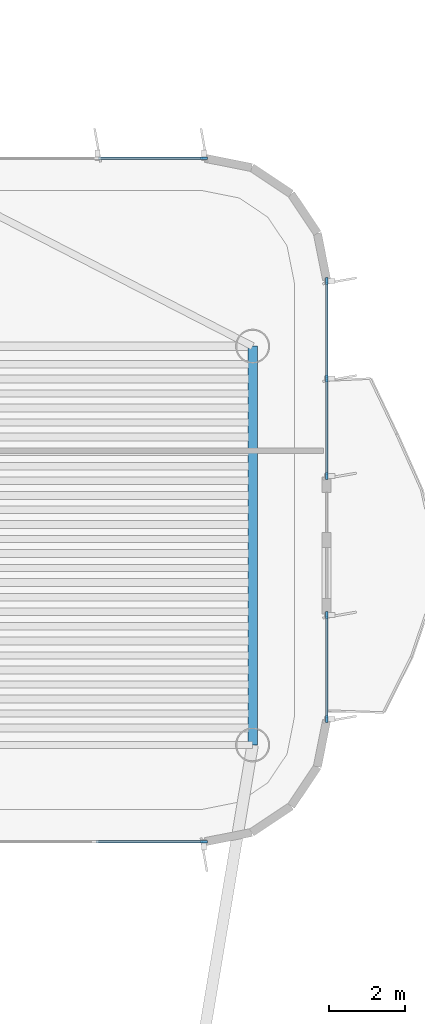
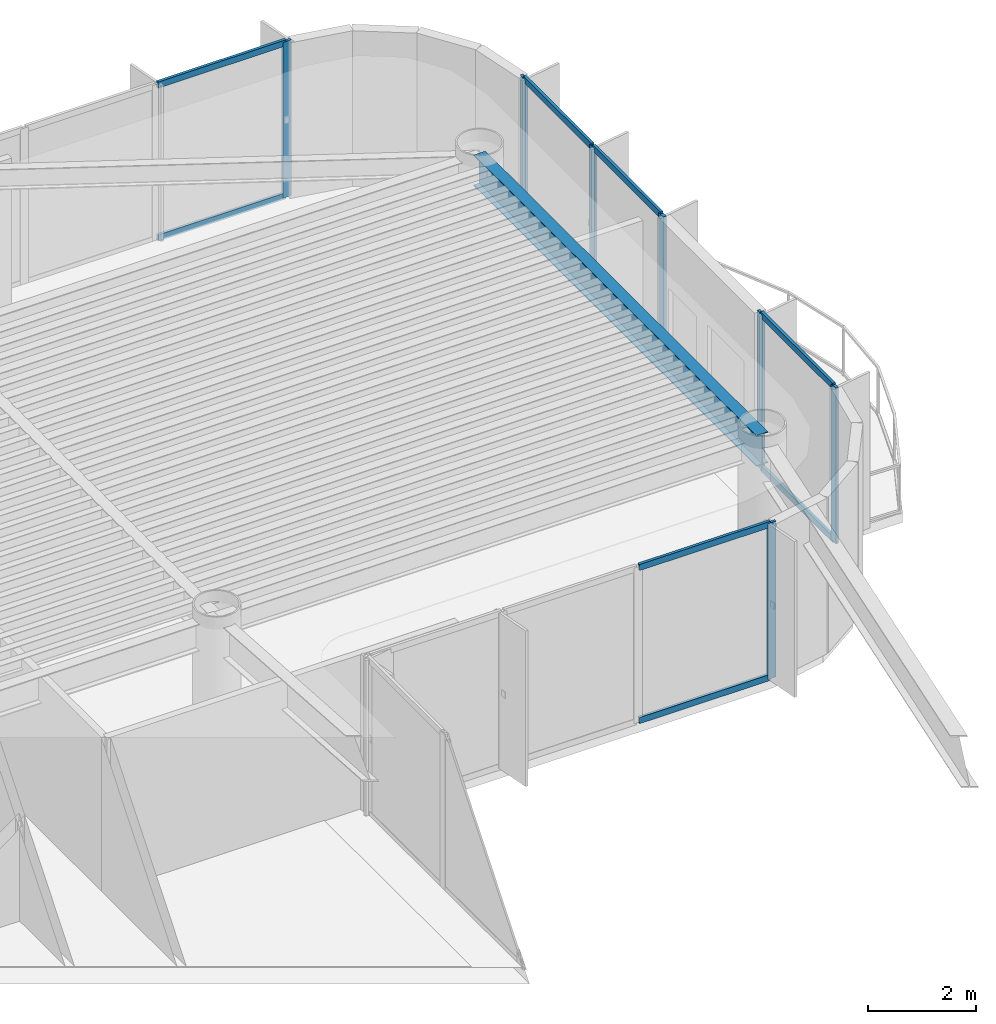
# One storey, part 8 of 15: 17 members, 1 beam, 4 elements without a shape of their own.
"""IFC4 building model written with IfcOpenShell, lengths in metres."""

from ifc_helpers import new_model, si_unit, direction, frame, origin, origin_2d, place, context, subcontext, project, spatial, rectangle, i_section, extrude, source, transform, mapped, material, layer, layer_set, material_profile, profile_set, type_object, element, aggregate, save


model = new_model("IFC4")

# Units and contexts
model_context = context("Model", 3, precision=1e-05, world=origin(), true_north=direction((0.0, 1.0)))
body_context = subcontext(model_context, "Body", "Model", "MODEL_VIEW")
ifc_project = project(units=[si_unit("LENGTHUNIT", "METRE"), si_unit("AREAUNIT", "SQUARE_METRE"), si_unit("VOLUMEUNIT", "CUBIC_METRE"), si_unit("PLANEANGLEUNIT", "RADIAN"), si_unit("MASSUNIT", "GRAM", prefix="KILO")], contexts=[model_context])

# Site, building, storey
site_placement = place(None, origin())
site = spatial("IfcSite", under=ifc_project, at=site_placement, CompositionType="ELEMENT")
building_placement = place(site_placement, origin())
building = spatial("IfcBuilding", under=site, at=building_placement, Name="Brelvock Crest Care Tower", CompositionType="ELEMENT")
storey_placement = place(building_placement, frame((0.0, 0.0, 279.719970703125)))
storey = spatial("IfcBuildingStorey", under=building, at=storey_placement, Name="L71", CompositionType="ELEMENT", Elevation=279.719970703125)

# Beam
ifc_material_1 = material(Name="Steel Grade 350", Category="steel")
ifc_material_profile_1 = material_profile(ifc_material_1, i_section(OverallWidth=0.25, OverallDepth=0.699951171875, WebThickness=0.011962890625, FlangeThickness=0.02001953125, at=origin_2d()), Name="700WB150")
ifc_profile_set_1 = profile_set([ifc_material_profile_1], Name="Steel Grade 350")
beam_type = type_object("IfcBeamType", Name="BM-G4", PredefinedType="BEAM", material=ifc_profile_set_1)
shared_shape_1 = source(origin(), body_context, "Body", "SweptSolid", [
    extrude(i_section(OverallWidth=0.25, OverallDepth=0.699951171875, WebThickness=0.011962890625, FlangeThickness=0.02001953125, at=origin_2d()), origin(), (0.0, 0.0, 1.0), 10.5),
])
beam_placement = place(storey_placement, frame((52.35009765625, 43.949951171875, 3.179931640625), z_axis=(0.0, 1.0, 0.0), x_axis=(-1.0, 0.0, 0.0)))
element("IfcBeam", 1, at=beam_placement, inside=storey, type_object=beam_type, Name="BM-TWR-L71-02", PredefinedType="BEAM", context=body_context, shape_type="MappedRepresentation", body=[
    mapped(shared_shape_1, transform((0.0, 0.0, 0.0), x_axis=(1.0, 0.0, 0.0), y_axis=(0.0, 1.0, 0.0), z_axis=(0.0, 0.0, 1.0), scale=1.0)),
])

# Curtain wall, member
ifc_material_2 = material(Name="Dark Glass Double Glazed Low-E", Category="glass")
ifc_layer = layer(ifc_material_2, 0.239990234375, Name="CWS-5")
ifc_layer_set = layer_set([ifc_layer], Name="Dark Glass Double Glazed Low-E")
curtain_wall_type = type_object("IfcCurtainWallType", Name="CWS-5", PredefinedType="NOTDEFINED", material=ifc_layer_set)
curtain_wall_1_placement = place(storey_placement, origin())
curtain_wall_1 = element("IfcCurtainWall", 2, at=curtain_wall_1_placement, inside=storey, type_object=curtain_wall_type, Name="L71 Curtain Wall E34", PredefinedType="NOTDEFINED")
ifc_material_3 = material(Name="Aluminium 6063-T6", Category="aluminium")
ifc_material_profile_2 = material_profile(ifc_material_3, rectangle(XDim=0.06005859375, YDim=0.179931640625, at=origin_2d()), Name="ALU60x180")
ifc_profile_set_2 = profile_set([ifc_material_profile_2], Name="Aluminium 6063-T6")
member_type_1 = type_object("IfcMemberType", Name="CWM-2", PredefinedType="MULLION", material=ifc_profile_set_2)
shared_shape_2 = source(origin(), body_context, "Body", "SweptSolid", [
    extrude(rectangle(XDim=0.06005859375, YDim=0.179931640625, at=origin_2d()), origin(), (0.0, 0.0, 1.0), 3.530029296875),
])
member_1_placement = place(storey_placement, frame((51.070068359375, 59.39990234375, 0.0), z_axis=(0.0, 0.0, 1.0), x_axis=(0.0, 1.0, 0.0)))
member_1 = element("IfcMember", 3, at=member_1_placement, type_object=member_type_1, Name="CW-5 mullion 4", PredefinedType="MULLION", context=body_context, shape_type="MappedRepresentation", body=[
    mapped(shared_shape_2, transform((0.0, 0.0, 0.0), x_axis=(1.0, 0.0, 0.0), y_axis=(0.0, 1.0, 0.0), z_axis=(0.0, 0.0, 1.0), scale=1.0)),
])

# Curtain wall, members
curtain_wall_2_placement = place(storey_placement, origin())
curtain_wall_2 = element("IfcCurtainWall", 4, at=curtain_wall_2_placement, inside=storey, type_object=curtain_wall_type, Name="L71 Curtain Wall E39A", PredefinedType="NOTDEFINED")
member_2_placement = place(storey_placement, frame((54.300048828125, 56.169921875, 0.0), z_axis=(0.0, 0.0, 1.0), x_axis=(1.0, 0.0, 0.0)))
member_2 = element("IfcMember", 5, at=member_2_placement, type_object=member_type_1, Name="CW-5 mullion 1", PredefinedType="MULLION", context=body_context, shape_type="MappedRepresentation", body=[
    mapped(shared_shape_2, transform((0.0, 0.0, 0.0), x_axis=(1.0, 0.0, 0.0), y_axis=(0.0, 1.0, 0.0), z_axis=(0.0, 0.0, 1.0), scale=1.0)),
])
member_3_placement = place(storey_placement, frame((54.300048828125, 53.60009765625, 0.0), z_axis=(0.0, 0.0, 1.0), x_axis=(1.0, 0.0, 0.0)))
member_3 = element("IfcMember", 6, at=member_3_placement, type_object=member_type_1, Name="CW-5 mullion 2", PredefinedType="MULLION", context=body_context, shape_type="MappedRepresentation", body=[
    mapped(shared_shape_2, transform((0.0, 0.0, 0.0), x_axis=(1.0, 0.0, 0.0), y_axis=(0.0, 1.0, 0.0), z_axis=(0.0, 0.0, 1.0), scale=1.0)),
])
member_4_placement = place(storey_placement, frame((54.300048828125, 51.030029296875, 0.0), z_axis=(0.0, 0.0, 1.0), x_axis=(1.0, 0.0, 0.0)))
member_4 = element("IfcMember", 7, at=member_4_placement, type_object=member_type_1, Name="CW-5 mullion 3", PredefinedType="MULLION", context=body_context, shape_type="MappedRepresentation", body=[
    mapped(shared_shape_2, transform((0.0, 0.0, 0.0), x_axis=(1.0, 0.0, 0.0), y_axis=(0.0, 1.0, 0.0), z_axis=(0.0, 0.0, 1.0), scale=1.0)),
])

curtain_wall_3_placement = place(storey_placement, origin())
curtain_wall_3 = element("IfcCurtainWall", 8, at=curtain_wall_3_placement, inside=storey, type_object=curtain_wall_type, Name="L71 Curtain Wall E39B", PredefinedType="NOTDEFINED")
member_5_placement = place(storey_placement, frame((54.300048828125, 47.3701171875, 0.0), z_axis=(0.0, 0.0, 1.0), x_axis=(1.0, 0.0, 0.0)))
member_5 = element("IfcMember", 9, at=member_5_placement, type_object=member_type_1, Name="CW-5 mullion 1", PredefinedType="MULLION", context=body_context, shape_type="MappedRepresentation", body=[
    mapped(shared_shape_2, transform((0.0, 0.0, 0.0), x_axis=(1.0, 0.0, 0.0), y_axis=(0.0, 1.0, 0.0), z_axis=(0.0, 0.0, 1.0), scale=1.0)),
])
member_6_placement = place(storey_placement, frame((54.300048828125, 44.6298828125, 0.0), z_axis=(0.0, 0.0, 1.0), x_axis=(1.0, 0.0, 0.0)))
member_6 = element("IfcMember", 10, at=member_6_placement, type_object=member_type_1, Name="CW-5 mullion 2", PredefinedType="MULLION", context=body_context, shape_type="MappedRepresentation", body=[
    mapped(shared_shape_2, transform((0.0, 0.0, 0.0), x_axis=(1.0, 0.0, 0.0), y_axis=(0.0, 1.0, 0.0), z_axis=(0.0, 0.0, 1.0), scale=1.0)),
])

# Curtain wall, member
curtain_wall_4_placement = place(storey_placement, origin())
curtain_wall_4 = element("IfcCurtainWall", 11, at=curtain_wall_4_placement, inside=storey, type_object=curtain_wall_type, Name="L71 Curtain Wall E44", PredefinedType="NOTDEFINED")
member_7_placement = place(storey_placement, frame((51.070068359375, 41.39990234375, 0.0), z_axis=(0.0, 0.0, 1.0), x_axis=(0.0, -1.0, 0.0)))
member_7 = element("IfcMember", 12, at=member_7_placement, type_object=member_type_1, Name="CW-5 mullion 1", PredefinedType="MULLION", context=body_context, shape_type="MappedRepresentation", body=[
    mapped(shared_shape_2, transform((0.0, 0.0, 0.0), x_axis=(1.0, 0.0, 0.0), y_axis=(0.0, 1.0, 0.0), z_axis=(0.0, 0.0, 1.0), scale=1.0)),
])

# Member
ifc_material_profile_3 = material_profile(ifc_material_3, rectangle(XDim=0.06005859375, YDim=0.139892578125, at=origin_2d()), Name="ALU60x140")
ifc_profile_set_3 = profile_set([ifc_material_profile_3], Name="Aluminium 6063-T6")
member_type_2 = type_object("IfcMemberType", Name="CWT-2", PredefinedType="USERDEFINED", material=ifc_profile_set_3)
shared_shape_3 = source(origin(), body_context, "Body", "SweptSolid", [
    extrude(rectangle(XDim=0.06005859375, YDim=0.139892578125, at=origin_2d()), origin(), (0.0, 0.0, 1.0), 2.510009765625),
])
member_8_placement = place(storey_placement, frame((54.300048828125, 56.139892578125, 0.030029296875), z_axis=(0.0, -1.0, 0.0), x_axis=(1.0, 0.0, 0.0)))
member_8 = element("IfcMember", 13, at=member_8_placement, type_object=member_type_2, Name="CW-5 transom 1.1", ObjectType="TRANSOM", PredefinedType="USERDEFINED", context=body_context, shape_type="MappedRepresentation", body=[
    mapped(shared_shape_3, transform((0.0, 0.0, 0.0), x_axis=(1.0, 0.0, 0.0), y_axis=(0.0, 1.0, 0.0), z_axis=(0.0, 0.0, 1.0), scale=1.0)),
])

member_9_placement = place(storey_placement, frame((54.300048828125, 56.139892578125, 3.5), z_axis=(0.0, -1.0, 0.0), x_axis=(1.0, 0.0, 0.0)))
member_9 = element("IfcMember", 14, at=member_9_placement, type_object=member_type_2, Name="CW-5 transom 1.2", ObjectType="TRANSOM", PredefinedType="USERDEFINED", context=body_context, shape_type="MappedRepresentation", body=[
    mapped(shared_shape_3, transform((0.0, 0.0, 0.0), x_axis=(1.0, 0.0, 0.0), y_axis=(0.0, 1.0, 0.0), z_axis=(0.0, 0.0, 1.0), scale=1.0)),
])

member_10_placement = place(storey_placement, frame((54.300048828125, 53.570068359375, 0.030029296875), z_axis=(0.0, -1.0, 0.0), x_axis=(1.0, 0.0, 0.0)))
member_10 = element("IfcMember", 15, at=member_10_placement, type_object=member_type_2, Name="CW-5 transom 2.1", ObjectType="TRANSOM", PredefinedType="USERDEFINED", context=body_context, shape_type="MappedRepresentation", body=[
    mapped(shared_shape_3, transform((0.0, 0.0, 0.0), x_axis=(1.0, 0.0, 0.0), y_axis=(0.0, 1.0, 0.0), z_axis=(0.0, 0.0, 1.0), scale=1.0)),
])

member_11_placement = place(storey_placement, frame((54.300048828125, 53.570068359375, 3.5), z_axis=(0.0, -1.0, 0.0), x_axis=(1.0, 0.0, 0.0)))
member_11 = element("IfcMember", 16, at=member_11_placement, type_object=member_type_2, Name="CW-5 transom 2.2", ObjectType="TRANSOM", PredefinedType="USERDEFINED", context=body_context, shape_type="MappedRepresentation", body=[
    mapped(shared_shape_3, transform((0.0, 0.0, 0.0), x_axis=(1.0, 0.0, 0.0), y_axis=(0.0, 1.0, 0.0), z_axis=(0.0, 0.0, 1.0), scale=1.0)),
])

aggregate(curtain_wall_2, [member_2, member_3, member_4, member_8, member_9, member_10, member_11])

shared_shape_4 = source(origin(), body_context, "Body", "SweptSolid", [
    extrude(rectangle(XDim=0.06005859375, YDim=0.139892578125, at=origin_2d()), origin(), (0.0, 0.0, 1.0), 2.81005859375),
])
member_12_placement = place(storey_placement, frame((51.0400390625, 41.39990234375, 0.030029296875), z_axis=(-1.0, 0.0, 0.0), x_axis=(0.0, -1.0, 0.0)))
member_12 = element("IfcMember", 17, at=member_12_placement, type_object=member_type_2, Name="CW-5 transom 1.1", ObjectType="TRANSOM", PredefinedType="USERDEFINED", context=body_context, shape_type="MappedRepresentation", body=[
    mapped(shared_shape_4, transform((0.0, 0.0, 0.0), x_axis=(1.0, 0.0, 0.0), y_axis=(0.0, 1.0, 0.0), z_axis=(0.0, 0.0, 1.0), scale=1.0)),
])

member_13_placement = place(storey_placement, frame((51.0400390625, 41.39990234375, 3.5), z_axis=(-1.0, 0.0, 0.0), x_axis=(0.0, -1.0, 0.0)))
member_13 = element("IfcMember", 18, at=member_13_placement, type_object=member_type_2, Name="CW-5 transom 1.2", ObjectType="TRANSOM", PredefinedType="USERDEFINED", context=body_context, shape_type="MappedRepresentation", body=[
    mapped(shared_shape_4, transform((0.0, 0.0, 0.0), x_axis=(1.0, 0.0, 0.0), y_axis=(0.0, 1.0, 0.0), z_axis=(0.0, 0.0, 1.0), scale=1.0)),
])

aggregate(curtain_wall_4, [member_7, member_12, member_13])

shared_shape_5 = source(origin(), body_context, "Body", "SweptSolid", [
    extrude(rectangle(XDim=0.06005859375, YDim=0.139892578125, at=origin_2d()), origin(), (0.0, 0.0, 1.0), 2.743408203125),
])
member_14_placement = place(storey_placement, frame((48.296630859375, 59.39990234375, 0.030029296875), z_axis=(1.0, 0.0, 0.0), x_axis=(0.0, 1.0, 0.0)))
member_14 = element("IfcMember", 19, at=member_14_placement, type_object=member_type_2, Name="CW-5 transom 3.1", ObjectType="TRANSOM", PredefinedType="USERDEFINED", context=body_context, shape_type="MappedRepresentation", body=[
    mapped(shared_shape_5, transform((0.0, 0.0, 0.0), x_axis=(1.0, 0.0, 0.0), y_axis=(0.0, 1.0, 0.0), z_axis=(0.0, 0.0, 1.0), scale=1.0)),
])

member_15_placement = place(storey_placement, frame((48.296630859375, 59.39990234375, 3.5), z_axis=(1.0, 0.0, 0.0), x_axis=(0.0, 1.0, 0.0)))
member_15 = element("IfcMember", 20, at=member_15_placement, type_object=member_type_2, Name="CW-5 transom 3.2", ObjectType="TRANSOM", PredefinedType="USERDEFINED", context=body_context, shape_type="MappedRepresentation", body=[
    mapped(shared_shape_5, transform((0.0, 0.0, 0.0), x_axis=(1.0, 0.0, 0.0), y_axis=(0.0, 1.0, 0.0), z_axis=(0.0, 0.0, 1.0), scale=1.0)),
])

aggregate(curtain_wall_1, [member_1, member_14, member_15])

shared_shape_6 = source(origin(), body_context, "Body", "SweptSolid", [
    extrude(rectangle(XDim=0.06005859375, YDim=0.139892578125, at=origin_2d()), origin(), (0.0, 0.0, 1.0), 2.68017578125),
])
member_16_placement = place(storey_placement, frame((54.300048828125, 47.340087890625, 0.030029296875), z_axis=(0.0, -1.0, 0.0), x_axis=(1.0, 0.0, 0.0)))
member_16 = element("IfcMember", 21, at=member_16_placement, type_object=member_type_2, Name="CW-5 transom 1.1", ObjectType="TRANSOM", PredefinedType="USERDEFINED", context=body_context, shape_type="MappedRepresentation", body=[
    mapped(shared_shape_6, transform((0.0, 0.0, 0.0), x_axis=(1.0, 0.0, 0.0), y_axis=(0.0, 1.0, 0.0), z_axis=(0.0, 0.0, 1.0), scale=1.0)),
])

member_17_placement = place(storey_placement, frame((54.300048828125, 47.340087890625, 3.5), z_axis=(0.0, -1.0, 0.0), x_axis=(1.0, 0.0, 0.0)))
member_17 = element("IfcMember", 22, at=member_17_placement, type_object=member_type_2, Name="CW-5 transom 1.2", ObjectType="TRANSOM", PredefinedType="USERDEFINED", context=body_context, shape_type="MappedRepresentation", body=[
    mapped(shared_shape_6, transform((0.0, 0.0, 0.0), x_axis=(1.0, 0.0, 0.0), y_axis=(0.0, 1.0, 0.0), z_axis=(0.0, 0.0, 1.0), scale=1.0)),
])

aggregate(curtain_wall_3, [member_5, member_6, member_16, member_17])

save(model, "model.ifc")
